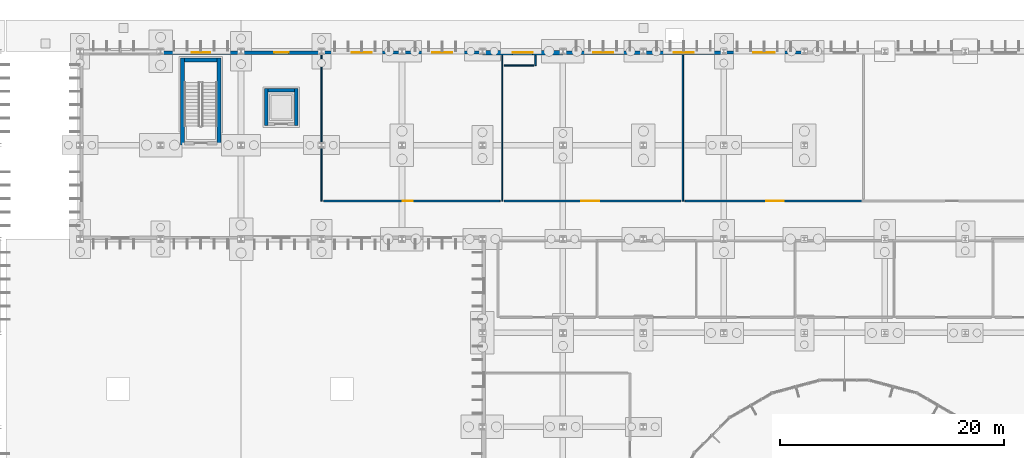
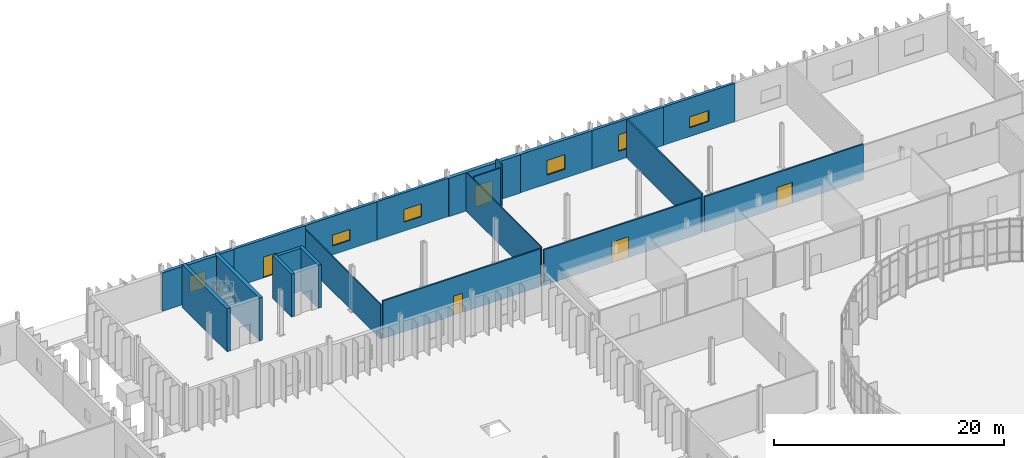
# One storey, part 97 of 118: 22 walls, 6 windows, 5 doors, 11 openings.
"""IFC4 building model written with IfcOpenShell, lengths in metres."""

from ifc_helpers import new_model, si_unit, direction, frame, frame_2d, origin, place, context, subcontext, project, spatial, rectangle, extrude, material, layer, layer_set, type_object, element, fill, save


model = new_model("IFC4")

# Units and contexts
model_context = context("Model", 3, precision=1e-05, world=origin(), true_north=direction((0.0, 1.0)))
body_context = subcontext(model_context, "Body", "Model", "MODEL_VIEW")
ifc_project = project(units=[si_unit("LENGTHUNIT", "METRE"), si_unit("AREAUNIT", "SQUARE_METRE"), si_unit("VOLUMEUNIT", "CUBIC_METRE"), si_unit("PLANEANGLEUNIT", "RADIAN"), si_unit("MASSUNIT", "GRAM", prefix="KILO")], contexts=[model_context])

# Site, building, storey
site_placement = place(None, origin())
site = spatial("IfcSite", under=ifc_project, at=site_placement, CompositionType="ELEMENT")
building_placement = place(site_placement, origin())
building = spatial("IfcBuilding", under=site, at=building_placement, Name="Qelthora Terrace Specialist Clinic", CompositionType="ELEMENT")
storey_placement = place(building_placement, origin())
storey = spatial("IfcBuildingStorey", under=building, at=storey_placement, Name="L00", CompositionType="ELEMENT", Elevation=0.0)

# Walls
ifc_material_1 = material(Name="Concrete C40/50", Category="concrete")
ifc_layer_1 = layer(ifc_material_1, 0.300048828125)
ifc_layer_set_1 = layer_set([ifc_layer_1], Name="Concrete C40/50")
wall_type_1 = type_object("IfcWallType", Name="WAL-CORE-300-C40", PredefinedType="SHEAR", material=ifc_layer_set_1)
for number, where, z_axis, x_axis, name in (
    (1, (74.25, 102.550048828125, 0.0), (0.0, 0.0, 1.0), (0.0, 1.0, 0.0), "Lift PL-04 L00 west shaft wall"),
    (2, (76.949951171875, 102.550048828125, 0.0), (0.0, 0.0, 1.0), (0.0, 1.0, 0.0), "Lift PL-04 L00 east shaft wall"),
):
    element("IfcWall", number, at=place(storey_placement, frame(where, z_axis=z_axis, x_axis=x_axis)), inside=storey, type_object=wall_type_1, Name=name, PredefinedType="SHEAR", context=body_context, shape_type="SweptSolid", body=[
        extrude(rectangle(XDim=3.300048828125, YDim=0.300048828125, at=frame_2d((1.64990234375, 0.0))), origin(), (0.0, 0.0, 1.0), 4.570068359375),
    ])
wall_1_placement = place(storey_placement, frame((74.39990234375, 105.699951171875, 0.0), z_axis=(0.0, 0.0, 1.0), x_axis=(1.0, 0.0, 0.0)))
element("IfcWall", 3, at=wall_1_placement, inside=storey, type_object=wall_type_1, Name="Lift PL-04 L00 north shaft wall", PredefinedType="SHEAR", context=body_context, shape_type="SweptSolid", body=[
    extrude(rectangle(XDim=2.400146484375, YDim=0.300048828125, at=frame_2d((1.2001953125, 0.0))), origin(), (0.0, 0.0, 1.0), 4.570068359375),
])
ifc_layer_2 = layer(ifc_material_1, 0.35009765625)
ifc_layer_set_2 = layer_set([ifc_layer_2], Name="Concrete C40/50")
wall_type_2 = type_object("IfcWallType", Name="WAL-CORE-350-C40", PredefinedType="SHEAR", material=ifc_layer_set_2)
for number, where, z_axis, x_axis, name in (
    (4, (66.77490234375, 100.800048828125, 0.0), (0.0, 0.0, 1.0), (0.0, 1.0, 0.0), "ST-07 L00 west shear core wall"),
    (5, (70.02490234375, 100.800048828125, 0.0), (0.0, 0.0, 1.0), (0.0, 1.0, 0.0), "ST-07 L00 east shear core wall"),
):
    element("IfcWall", number, at=place(storey_placement, frame(where, z_axis=z_axis, x_axis=x_axis)), inside=storey, type_object=wall_type_2, Name=name, PredefinedType="SHEAR", context=body_context, shape_type="SweptSolid", body=[
        extrude(rectangle(XDim=7.800048828125, YDim=0.35009765625, at=frame_2d((3.89990234375, 0.0))), origin(), (0.0, 0.0, 1.0), 4.570068359375),
    ])
wall_2_placement = place(storey_placement, frame((66.949951171875, 108.425048828125, 0.0), z_axis=(0.0, 0.0, 1.0), x_axis=(1.0, 0.0, 0.0)))
element("IfcWall", 6, at=wall_2_placement, inside=storey, type_object=wall_type_2, Name="ST-07 L00 north shear core wall", PredefinedType="SHEAR", context=body_context, shape_type="SweptSolid", body=[
    extrude(rectangle(XDim=2.900146484375, YDim=0.35009765625, at=frame_2d((1.4501953125, 0.0))), origin(), (0.0, 0.0, 1.0), 4.570068359375),
])

# Wall, opening, window
ifc_material_2 = material(Name="Precast concrete C40/50", Category="concrete")
ifc_layer_3 = layer(ifc_material_2, 0.260009765625)
ifc_layer_set_3 = layer_set([ifc_layer_3], Name="Precast concrete C40/50")
wall_type_3 = type_object("IfcWallType", Name="WAL-EXT-260-PC40", PredefinedType="SOLIDWALL", material=ifc_layer_set_3)
wall_3_placement = place(storey_placement, frame((86.39990234375, 109.080078125, 0.0), z_axis=(0.0, 0.0, 1.0), x_axis=(1.0, 0.0, 0.0)))
wall_3 = element("IfcWall", 7, at=wall_3_placement, inside=storey, type_object=wall_type_3, Name="L00 external precast wall 29", PredefinedType="SOLIDWALL", context=body_context, shape_type="SweptSolid", body=[
    extrude(rectangle(XDim=7.2001953125, YDim=0.260009765625, at=frame_2d((3.60009765625, 0.0))), origin(), (0.0, 0.0, 1.0), 4.08203125),
])
opening_1_placement = place(wall_3_placement, frame((2.699951171875, 0.0, 0.949951171875)))
opening_1 = element("IfcOpeningElement", 8, at=opening_1_placement, cuts=wall_3, Name="Opening WN-L00-022", PredefinedType="OPENING", context=body_context, shape_type="SweptSolid", body=[
    extrude(rectangle(XDim=1.800048828125, YDim=1.35009765625, at=frame_2d((0.89990234375, 0.675048828125))), frame((0.0, 0.139892578125, 0.0), z_axis=(0.0, -1.0, 0.0), x_axis=(1.0, 0.0, 0.0)), (0.0, 0.0, 1.0), 0.280029296875),
])
ifc_material_3 = material(Name="Low-E triple-silver insulating glass", Category="glass")
window_type_1 = type_object("IfcWindowType", Name="WIN-1800X1350", PartitioningType="DOUBLE_PANEL_VERTICAL", PredefinedType="WINDOW", material=ifc_material_3)
window_1_placement = place(opening_1_placement, origin())
window_1 = element("IfcWindow", 9, at=window_1_placement, inside=storey, type_object=window_type_1, Name="Clinical window WN-L00-022", OverallHeight=1.35009765625, OverallWidth=1.800048828125, PartitioningType="SINGLE_PANEL", PredefinedType="WINDOW", context=body_context, shape_type="SweptSolid", body=[
    extrude(rectangle(XDim=1.800048828125, YDim=1.35009765625, at=frame_2d((0.89990234375, 0.675048828125))), frame((0.0, 0.030029296875, 0.0), z_axis=(0.0, -1.0, 0.0), x_axis=(1.0, 0.0, 0.0)), (0.0, 0.0, 1.0), 0.06005859375),
])
fill(opening_1, window_1)

ifc_layer_4 = layer(ifc_material_2, 0.280029296875)
ifc_layer_set_4 = layer_set([ifc_layer_4], Name="Precast concrete C40/50")
wall_type_4 = type_object("IfcWallType", Name="WAL-EXT-280-PC40", PredefinedType="SOLIDWALL", material=ifc_layer_set_4)
wall_4_placement = place(storey_placement, frame((79.199951171875, 109.080078125, 0.0), z_axis=(0.0, 0.0, 1.0), x_axis=(1.0, 0.0, 0.0)))
wall_4 = element("IfcWall", 10, at=wall_4_placement, inside=storey, type_object=wall_type_4, Name="L00 external precast wall 28", PredefinedType="SOLIDWALL", context=body_context, shape_type="SweptSolid", body=[
    extrude(rectangle(XDim=7.199951171875, YDim=0.280029296875, at=frame_2d((3.60009765625, 0.0))), origin(), (0.0, 0.0, 1.0), 4.08203125),
])
opening_2_placement = place(wall_4_placement, frame((2.699951171875, 0.0, 0.949951171875)))
opening_2 = element("IfcOpeningElement", 11, at=opening_2_placement, cuts=wall_4, Name="Opening WN-L00-021", PredefinedType="OPENING", context=body_context, shape_type="SweptSolid", body=[
    extrude(rectangle(XDim=1.800048828125, YDim=1.14990234375, at=frame_2d((0.89990234375, 0.574951171875))), frame((0.0, 0.14990234375, 0.0), z_axis=(0.0, -1.0, 0.0), x_axis=(1.0, 0.0, 0.0)), (0.0, 0.0, 1.0), 0.300048828125),
])
window_type_2 = type_object("IfcWindowType", Name="WIN-1800X1150", PartitioningType="DOUBLE_PANEL_VERTICAL", PredefinedType="WINDOW", material=ifc_material_3)
window_2_placement = place(opening_2_placement, origin())
window_2 = element("IfcWindow", 12, at=window_2_placement, inside=storey, type_object=window_type_2, Name="Clinical window WN-L00-021", OverallHeight=1.14990234375, OverallWidth=1.800048828125, PartitioningType="SINGLE_PANEL", PredefinedType="WINDOW", context=body_context, shape_type="SweptSolid", body=[
    extrude(rectangle(XDim=1.800048828125, YDim=1.14990234375, at=frame_2d((0.89990234375, 0.574951171875))), frame((0.0, 0.030029296875, 0.0), z_axis=(0.0, -1.0, 0.0), x_axis=(1.0, 0.0, 0.0)), (0.0, 0.0, 1.0), 0.06005859375),
])
fill(opening_2, window_2)

wall_5_placement = place(storey_placement, frame((115.199951171875, 109.080078125, 0.0), z_axis=(0.0, 0.0, 1.0), x_axis=(1.0, 0.0, 0.0)))
wall_5 = element("IfcWall", 13, at=wall_5_placement, inside=storey, type_object=wall_type_4, Name="L00 external precast wall 33", PredefinedType="SOLIDWALL", context=body_context, shape_type="SweptSolid", body=[
    extrude(rectangle(XDim=7.199951171875, YDim=0.280029296875, at=frame_2d((3.60009765625, 0.0))), origin(), (0.0, 0.0, 1.0), 4.08203125),
])
opening_3_placement = place(wall_5_placement, frame((2.625, 0.0, 0.949951171875)))
opening_3 = element("IfcOpeningElement", 14, at=opening_3_placement, cuts=wall_5, Name="Opening WN-L00-025", PredefinedType="OPENING", context=body_context, shape_type="SweptSolid", body=[
    extrude(rectangle(XDim=1.949951171875, YDim=1.14990234375, at=frame_2d((0.97509765625, 0.574951171875))), frame((0.0, 0.14990234375, 0.0), z_axis=(0.0, -1.0, 0.0), x_axis=(1.0, 0.0, 0.0)), (0.0, 0.0, 1.0), 0.300048828125),
])
window_type_3 = type_object("IfcWindowType", Name="WIN-1950X1150", PartitioningType="DOUBLE_PANEL_VERTICAL", PredefinedType="WINDOW", material=ifc_material_3)
window_3_placement = place(opening_3_placement, origin())
window_3 = element("IfcWindow", 15, at=window_3_placement, inside=storey, type_object=window_type_3, Name="Clinical window WN-L00-025", OverallHeight=1.14990234375, OverallWidth=1.949951171875, PartitioningType="SINGLE_PANEL", PredefinedType="WINDOW", context=body_context, shape_type="SweptSolid", body=[
    extrude(rectangle(XDim=1.949951171875, YDim=1.14990234375, at=frame_2d((0.97509765625, 0.574951171875))), frame((0.0, 0.030029296875, 0.0), z_axis=(0.0, -1.0, 0.0), x_axis=(1.0, 0.0, 0.0)), (0.0, 0.0, 1.0), 0.06005859375),
])
fill(opening_3, window_3)

# Wall, opening, door
ifc_layer_5 = layer(ifc_material_2, 0.300048828125)
ifc_layer_set_5 = layer_set([ifc_layer_5], Name="Precast concrete C40/50")
wall_type_5 = type_object("IfcWallType", Name="WAL-EXT-300-PC40", PredefinedType="SOLIDWALL", material=ifc_layer_set_5)
wall_6_placement = place(storey_placement, frame((72.0, 109.080078125, 0.0), z_axis=(0.0, 0.0, 1.0), x_axis=(1.0, 0.0, 0.0)))
wall_6 = element("IfcWall", 16, at=wall_6_placement, inside=storey, type_object=wall_type_5, Name="L00 external precast wall 27", PredefinedType="SOLIDWALL", context=body_context, shape_type="SweptSolid", body=[
    extrude(rectangle(XDim=7.199951171875, YDim=0.300048828125, at=frame_2d((3.60009765625, 0.0))), origin(), (0.0, 0.0, 1.0), 4.08203125),
])
opening_4_placement = place(wall_6_placement, frame((2.949951171875, 0.0, 0.0)))
opening_4 = element("IfcOpeningElement", 17, at=opening_4_placement, cuts=wall_6, Name="Opening DE-ST07-EXIT", PredefinedType="OPENING", context=body_context, shape_type="SweptSolid", body=[
    extrude(rectangle(XDim=1.300048828125, YDim=2.199951171875, at=frame_2d((0.64990234375, 1.10009765625))), frame((0.0, 0.159912109375, 0.0), z_axis=(0.0, -1.0, 0.0), x_axis=(1.0, 0.0, 0.0)), (0.0, 0.0, 1.0), 0.320068359375),
])
ifc_material_4 = material(Name="Steel S355", Category="steel")
door_type_1 = type_object("IfcDoorType", Name="DOR-EXT-1300X2200", OperationType="NOTDEFINED", PredefinedType="DOOR", material=ifc_material_4)
door_1_placement = place(opening_4_placement, origin())
door_1 = element("IfcDoor", 18, at=door_1_placement, inside=storey, type_object=door_type_1, Name="Exterior entrance/exit door DE-ST07-EXIT", OperationType="SINGLE_SWING_LEFT", OverallHeight=2.199951171875, OverallWidth=1.300048828125, PredefinedType="DOOR", context=body_context, shape_type="SweptSolid", body=[
    extrude(rectangle(XDim=1.300048828125, YDim=2.199951171875, at=frame_2d((0.64990234375, 1.10009765625))), frame((0.0, 0.02490234375, 0.0), z_axis=(0.0, -1.0, 0.0), x_axis=(1.0, 0.0, 0.0)), (0.0, 0.0, 1.0), 0.050048828125),
])
fill(opening_4, door_1)

# Wall, opening, window
wall_7_placement = place(storey_placement, frame((108.0, 109.080078125, 0.0), z_axis=(0.0, 0.0, 1.0), x_axis=(1.0, 0.0, 0.0)))
wall_7 = element("IfcWall", 19, at=wall_7_placement, inside=storey, type_object=wall_type_5, Name="L00 external precast wall 32", PredefinedType="SOLIDWALL", context=body_context, shape_type="SweptSolid", body=[
    extrude(rectangle(XDim=7.199951171875, YDim=0.300048828125, at=frame_2d((3.60009765625, 0.0))), origin(), (0.0, 0.0, 1.0), 4.08203125),
])
opening_5_placement = place(wall_7_placement, frame((2.699951171875, 0.0, 0.949951171875)))
opening_5 = element("IfcOpeningElement", 20, at=opening_5_placement, cuts=wall_7, Name="Opening WN-L00-024", PredefinedType="OPENING", context=body_context, shape_type="SweptSolid", body=[
    extrude(rectangle(XDim=1.800048828125, YDim=1.75, at=frame_2d((0.89990234375, 0.875))), frame((0.0, 0.159912109375, 0.0), z_axis=(0.0, -1.0, 0.0), x_axis=(1.0, 0.0, 0.0)), (0.0, 0.0, 1.0), 0.320068359375),
])
window_type_4 = type_object("IfcWindowType", Name="WIN-1800X1750", PartitioningType="DOUBLE_PANEL_VERTICAL", PredefinedType="WINDOW", material=ifc_material_3)
window_4_placement = place(opening_5_placement, origin())
window_4 = element("IfcWindow", 21, at=window_4_placement, inside=storey, type_object=window_type_4, Name="Clinical window WN-L00-024", OverallHeight=1.75, OverallWidth=1.800048828125, PartitioningType="SINGLE_PANEL", PredefinedType="WINDOW", context=body_context, shape_type="SweptSolid", body=[
    extrude(rectangle(XDim=1.800048828125, YDim=1.75, at=frame_2d((0.89990234375, 0.875))), frame((0.0, 0.030029296875, 0.0), z_axis=(0.0, -1.0, 0.0), x_axis=(1.0, 0.0, 0.0)), (0.0, 0.0, 1.0), 0.06005859375),
])
fill(opening_5, window_4)

ifc_layer_6 = layer(ifc_material_2, 0.320068359375)
ifc_layer_set_6 = layer_set([ifc_layer_6], Name="Precast concrete C40/50")
wall_type_6 = type_object("IfcWallType", Name="WAL-EXT-320-PC40", PredefinedType="SOLIDWALL", material=ifc_layer_set_6)
wall_8_placement = place(storey_placement, frame((64.800048828125, 109.080078125, 0.0), z_axis=(0.0, 0.0, 1.0), x_axis=(1.0, 0.0, 0.0)))
wall_8 = element("IfcWall", 22, at=wall_8_placement, inside=storey, type_object=wall_type_6, Name="L00 external precast wall 26", PredefinedType="SOLIDWALL", context=body_context, shape_type="SweptSolid", body=[
    extrude(rectangle(XDim=7.199951171875, YDim=0.320068359375, at=frame_2d((3.60009765625, 0.0))), origin(), (0.0, 0.0, 1.0), 4.08203125),
])
opening_6_placement = place(wall_8_placement, frame((2.77490234375, 0.0, 0.949951171875)))
opening_6 = element("IfcOpeningElement", 23, at=opening_6_placement, cuts=wall_8, Name="Opening WN-L00-020", PredefinedType="OPENING", context=body_context, shape_type="SweptSolid", body=[
    extrude(rectangle(XDim=1.64990234375, YDim=1.75, at=frame_2d((0.824951171875, 0.875))), frame((0.0, 0.169921875, 0.0), z_axis=(0.0, -1.0, 0.0), x_axis=(1.0, 0.0, 0.0)), (0.0, 0.0, 1.0), 0.340087890625),
])
window_type_5 = type_object("IfcWindowType", Name="WIN-1650X1750", PartitioningType="DOUBLE_PANEL_VERTICAL", PredefinedType="WINDOW", material=ifc_material_3)
window_5_placement = place(opening_6_placement, origin())
window_5 = element("IfcWindow", 24, at=window_5_placement, inside=storey, type_object=window_type_5, Name="Clinical window WN-L00-020", OverallHeight=1.75, OverallWidth=1.64990234375, PartitioningType="SINGLE_PANEL", PredefinedType="WINDOW", context=body_context, shape_type="SweptSolid", body=[
    extrude(rectangle(XDim=1.64990234375, YDim=1.75, at=frame_2d((0.824951171875, 0.875))), frame((0.0, 0.030029296875, 0.0), z_axis=(0.0, -1.0, 0.0), x_axis=(1.0, 0.0, 0.0)), (0.0, 0.0, 1.0), 0.06005859375),
])
fill(opening_6, window_5)

wall_9_placement = place(storey_placement, frame((100.800048828125, 109.080078125, 0.0), z_axis=(0.0, 0.0, 1.0), x_axis=(1.0, 0.0, 0.0)))
wall_9 = element("IfcWall", 25, at=wall_9_placement, inside=storey, type_object=wall_type_6, Name="L00 external precast wall 31", PredefinedType="SOLIDWALL", context=body_context, shape_type="SweptSolid", body=[
    extrude(rectangle(XDim=7.199951171875, YDim=0.320068359375, at=frame_2d((3.60009765625, 0.0))), origin(), (0.0, 0.0, 1.0), 4.08203125),
])
opening_7_placement = place(wall_9_placement, frame((2.699951171875, 0.0, 0.949951171875)))
opening_7 = element("IfcOpeningElement", 26, at=opening_7_placement, cuts=wall_9, Name="Opening WN-L00-023", PredefinedType="OPENING", context=body_context, shape_type="SweptSolid", body=[
    extrude(rectangle(XDim=1.800048828125, YDim=1.550048828125, at=frame_2d((0.89990234375, 0.77490234375))), frame((0.0, 0.169921875, 0.0), z_axis=(0.0, -1.0, 0.0), x_axis=(1.0, 0.0, 0.0)), (0.0, 0.0, 1.0), 0.340087890625),
])
window_type_6 = type_object("IfcWindowType", Name="WIN-1800X1550", PartitioningType="DOUBLE_PANEL_VERTICAL", PredefinedType="WINDOW", material=ifc_material_3)
window_6_placement = place(opening_7_placement, origin())
window_6 = element("IfcWindow", 27, at=window_6_placement, inside=storey, type_object=window_type_6, Name="Clinical window WN-L00-023", OverallHeight=1.550048828125, OverallWidth=1.800048828125, PartitioningType="SINGLE_PANEL", PredefinedType="WINDOW", context=body_context, shape_type="SweptSolid", body=[
    extrude(rectangle(XDim=1.800048828125, YDim=1.550048828125, at=frame_2d((0.89990234375, 0.77490234375))), frame((0.0, 0.030029296875, 0.0), z_axis=(0.0, -1.0, 0.0), x_axis=(1.0, 0.0, 0.0)), (0.0, 0.0, 1.0), 0.06005859375),
])
fill(opening_7, window_6)

# Wall, opening, door
ifc_layer_7 = layer(ifc_material_2, 0.3798828125)
ifc_layer_set_7 = layer_set([ifc_layer_7], Name="Precast concrete C40/50")
wall_type_7 = type_object("IfcWallType", Name="WAL-EXT-380-PC40", PredefinedType="SOLIDWALL", material=ifc_layer_set_7)
wall_10_placement = place(storey_placement, frame((93.60009765625, 109.080078125, 0.0), z_axis=(0.0, 0.0, 1.0), x_axis=(1.0, 0.0, 0.0)))
wall_10 = element("IfcWall", 28, at=wall_10_placement, inside=storey, type_object=wall_type_7, Name="L00 external precast wall 30", PredefinedType="SOLIDWALL", context=body_context, shape_type="SweptSolid", body=[
    extrude(rectangle(XDim=7.199951171875, YDim=0.3798828125, at=frame_2d((3.60009765625, 0.0))), origin(), (0.0, 0.0, 1.0), 4.08203125),
])
opening_8_placement = place(wall_10_placement, frame((2.699951171875, 0.0, 0.0)))
opening_8 = element("IfcOpeningElement", 29, at=opening_8_placement, cuts=wall_10, Name="Opening DE-V6N-01", PredefinedType="OPENING", context=body_context, shape_type="SweptSolid", body=[
    extrude(rectangle(XDim=1.800048828125, YDim=2.199951171875, at=frame_2d((0.89990234375, 1.10009765625))), frame((0.0, 0.199951171875, 0.0), z_axis=(0.0, -1.0, 0.0), x_axis=(1.0, 0.0, 0.0)), (0.0, 0.0, 1.0), 0.39990234375),
])
door_type_2 = type_object("IfcDoorType", Name="DOR-EXT-1800X2200", OperationType="NOTDEFINED", PredefinedType="DOOR", material=ifc_material_4)
door_2_placement = place(opening_8_placement, origin())
door_2 = element("IfcDoor", 30, at=door_2_placement, inside=storey, type_object=door_type_2, Name="Exterior entrance/exit door DE-V6N-01", OperationType="DOUBLE_DOOR_SINGLE_SWING", OverallHeight=2.199951171875, OverallWidth=1.800048828125, PredefinedType="DOOR", context=body_context, shape_type="SweptSolid", body=[
    extrude(rectangle(XDim=1.800048828125, YDim=2.199951171875, at=frame_2d((0.89990234375, 1.10009765625))), frame((0.0, 0.02490234375, 0.0), z_axis=(0.0, -1.0, 0.0), x_axis=(1.0, 0.0, 0.0)), (0.0, 0.0, 1.0), 0.050048828125),
])
fill(opening_8, door_2)

# Wall
ifc_material_5 = material(Name="Gypsum acoustic wallboard", Category="gypsum")
ifc_layer_8 = layer(ifc_material_5, 0.139892578125)
ifc_layer_set_8 = layer_set([ifc_layer_8], Name="Gypsum acoustic wallboard")
wall_type_8 = type_object("IfcWallType", Name="WAL-INT-ACU-140", PredefinedType="PARTITIONING", material=ifc_layer_set_8)
wall_11_placement = place(storey_placement, frame((111.52490234375, 108.860107421875, 0.0), z_axis=(0.0, 0.0, 1.0), x_axis=(0.0, -1.0, 0.0)))
element("IfcWall", 31, at=wall_11_placement, inside=storey, type_object=wall_type_8, Name="Interior clinical partition IWAL-L00-0139", PredefinedType="PARTITIONING", context=body_context, shape_type="SweptSolid", body=[
    extrude(rectangle(XDim=13.06005859375, YDim=0.139892578125, at=frame_2d((6.530029296875, 0.0))), origin(), (0.0, 0.0, 1.0), 4.132080078125),
])

# Wall, opening, door
ifc_material_6 = material(Name="Gypsum fire-rated wallboard", Category="gypsum")
ifc_layer_9 = layer(ifc_material_6, 0.159912109375)
ifc_layer_set_9 = layer_set([ifc_layer_9], Name="Gypsum fire-rated wallboard")
wall_type_9 = type_object("IfcWallType", Name="WAL-INT-COR-160", PredefinedType="PARTITIONING", material=ifc_layer_set_9)
wall_12_placement = place(storey_placement, frame((95.1826171875, 95.800048828125, 0.0), z_axis=(0.0, 0.0, 1.0), x_axis=(-1.0, 0.0, 0.0)))
wall_12 = element("IfcWall", 32, at=wall_12_placement, inside=storey, type_object=wall_type_9, Name="Interior clinical partition IWAL-L00-0137", PredefinedType="PARTITIONING", context=body_context, shape_type="SweptSolid", body=[
    extrude(rectangle(XDim=15.802734375, YDim=0.159912109375, at=frame_2d((7.9013671875, 0.0))), origin(), (0.0, 0.0, 1.0), 4.008056640625),
])
opening_9_placement = place(wall_12_placement, frame((7.811279296875, 0.0, 0.0)))
opening_9 = element("IfcOpeningElement", 33, at=opening_9_placement, cuts=wall_12, Name="Opening DI-L00-0051", PredefinedType="OPENING", context=body_context, shape_type="SweptSolid", body=[
    extrude(rectangle(XDim=0.89990234375, YDim=2.0400390625, at=frame_2d((0.449951171875, 1.02001953125))), frame((0.0, 0.08984375, 0.0), z_axis=(0.0, -1.0, 0.0), x_axis=(1.0, 0.0, 0.0)), (0.0, 0.0, 1.0), 0.179931640625),
])
ifc_material_7 = material(Name="Glulam timber GL28h", Category="wood")
door_type_3 = type_object("IfcDoorType", Name="DOR-ENS-900X2040", OperationType="NOTDEFINED", PredefinedType="DOOR", material=ifc_material_7)
door_3_placement = place(opening_9_placement, frame((0.89990234375, 0.0, 0.0), z_axis=(0.0, 0.0, 1.0), x_axis=(-1.0, 0.0, 0.0)))
door_3 = element("IfcDoor", 34, at=door_3_placement, inside=storey, type_object=door_type_3, Name="Interior clinical door DI-L00-0051", OperationType="SINGLE_SWING_RIGHT", OverallHeight=2.0400390625, OverallWidth=0.89990234375, PredefinedType="DOOR", context=body_context, shape_type="SweptSolid", body=[
    extrude(rectangle(XDim=0.89990234375, YDim=2.0400390625, at=frame_2d((0.449951171875, 1.02001953125))), frame((0.0, 0.02490234375, 0.0), z_axis=(0.0, -1.0, 0.0), x_axis=(1.0, 0.0, 0.0)), (0.0, 0.0, 1.0), 0.050048828125),
])
fill(opening_9, door_3)

wall_13_placement = place(storey_placement, frame((111.344970703125, 95.800048828125, 0.0), z_axis=(0.0, 0.0, 1.0), x_axis=(-1.0, 0.0, 0.0)))
wall_13 = element("IfcWall", 35, at=wall_13_placement, inside=storey, type_object=wall_type_9, Name="Interior clinical partition IWAL-L00-0140", PredefinedType="PARTITIONING", context=body_context, shape_type="SweptSolid", body=[
    extrude(rectangle(XDim=15.802490234375, YDim=0.159912109375, at=frame_2d((7.9013671875, 0.0))), origin(), (0.0, 0.0, 1.0), 3.77490234375),
])
opening_10_placement = place(wall_13_placement, frame((7.2763671875, 0.0, 0.0)))
opening_10 = element("IfcOpeningElement", 36, at=opening_10_placement, cuts=wall_13, Name="Opening DI-L00-0052", PredefinedType="OPENING", context=body_context, shape_type="SweptSolid", body=[
    extrude(rectangle(XDim=1.64990234375, YDim=2.199951171875, at=frame_2d((0.824951171875, 1.10009765625))), frame((0.0, 0.08984375, 0.0), z_axis=(0.0, -1.0, 0.0), x_axis=(1.0, 0.0, 0.0)), (0.0, 0.0, 1.0), 0.179931640625),
])
ifc_material_8 = material(Name="Aluminium anodized bronze", Category="aluminium")
door_type_4 = type_object("IfcDoorType", Name="DOR-GYM-1650X2200", OperationType="NOTDEFINED", PredefinedType="DOOR", material=ifc_material_8)
door_4_placement = place(opening_10_placement, frame((1.64990234375, 0.0, 0.0), z_axis=(0.0, 0.0, 1.0), x_axis=(-1.0, 0.0, 0.0)))
door_4 = element("IfcDoor", 37, at=door_4_placement, inside=storey, type_object=door_type_4, Name="Interior clinical door DI-L00-0052", OperationType="DOUBLE_DOOR_SINGLE_SWING", OverallHeight=2.199951171875, OverallWidth=1.64990234375, PredefinedType="DOOR", context=body_context, shape_type="SweptSolid", body=[
    extrude(rectangle(XDim=1.64990234375, YDim=2.199951171875, at=frame_2d((0.824951171875, 1.10009765625))), frame((0.0, 0.02490234375, 0.0), z_axis=(0.0, -1.0, 0.0), x_axis=(1.0, 0.0, 0.0)), (0.0, 0.0, 1.0), 0.050048828125),
])
fill(opening_10, door_4)

wall_14_placement = place(storey_placement, frame((127.6875, 95.800048828125, 0.0), z_axis=(0.0, 0.0, 1.0), x_axis=(-1.0, 0.0, 0.0)))
wall_14 = element("IfcWall", 38, at=wall_14_placement, inside=storey, type_object=wall_type_9, Name="Interior clinical partition IWAL-L00-0142", PredefinedType="PARTITIONING", context=body_context, shape_type="SweptSolid", body=[
    extrude(rectangle(XDim=15.982421875, YDim=0.159912109375, at=frame_2d((7.9912109375, 0.0))), origin(), (0.0, 0.0, 1.0), 3.77490234375),
])
opening_11_placement = place(wall_14_placement, frame((7.146240234375, 0.0, 0.0)))
opening_11 = element("IfcOpeningElement", 39, at=opening_11_placement, cuts=wall_14, Name="Opening DI-L00-0053", PredefinedType="OPENING", context=body_context, shape_type="SweptSolid", body=[
    extrude(rectangle(XDim=1.550048828125, YDim=2.199951171875, at=frame_2d((0.77490234375, 1.10009765625))), frame((0.0, 0.08984375, 0.0), z_axis=(0.0, -1.0, 0.0), x_axis=(1.0, 0.0, 0.0)), (0.0, 0.0, 1.0), 0.179931640625),
])
door_type_5 = type_object("IfcDoorType", Name="DOR-LIB-1550X2200", OperationType="NOTDEFINED", PredefinedType="DOOR", material=ifc_material_8)
door_5_placement = place(opening_11_placement, frame((1.550048828125, 0.0, 0.0), z_axis=(0.0, 0.0, 1.0), x_axis=(-1.0, 0.0, 0.0)))
door_5 = element("IfcDoor", 40, at=door_5_placement, inside=storey, type_object=door_type_5, Name="Interior clinical door DI-L00-0053", OperationType="DOUBLE_DOOR_SINGLE_SWING", OverallHeight=2.199951171875, OverallWidth=1.550048828125, PredefinedType="DOOR", context=body_context, shape_type="SweptSolid", body=[
    extrude(rectangle(XDim=1.550048828125, YDim=2.199951171875, at=frame_2d((0.77490234375, 1.10009765625))), frame((0.0, 0.02490234375, 0.0), z_axis=(0.0, -1.0, 0.0), x_axis=(1.0, 0.0, 0.0)), (0.0, 0.0, 1.0), 0.050048828125),
])
fill(opening_11, door_5)

# Walls
ifc_layer_10 = layer(ifc_material_3, 0.110107421875)
ifc_layer_set_10 = layer_set([ifc_layer_10], Name="Low-E triple-silver insulating glass")
wall_type_10 = type_object("IfcWallType", Name="WAL-INT-GLA-110", PredefinedType="MOVABLE", material=ifc_layer_set_10)
wall_15_placement = place(storey_placement, frame((79.199951171875, 95.800048828125, 0.0), z_axis=(0.0, 0.0, 1.0), x_axis=(0.0, 1.0, 0.0)))
element("IfcWall", 41, at=wall_15_placement, inside=storey, type_object=wall_type_10, Name="Interior clinical partition IWAL-L00-0135", PredefinedType="MOVABLE", context=body_context, shape_type="SweptSolid", body=[
    extrude(rectangle(XDim=13.06005859375, YDim=0.110107421875, at=frame_2d((6.530029296875, 0.0))), origin(), (0.0, 0.0, 1.0), 3.694091796875),
])
wall_16_placement = place(storey_placement, frame((95.54248046875, 107.919921875, 0.0), z_axis=(0.0, 0.0, 1.0), x_axis=(1.0, 0.0, 0.0)))
element("IfcWall", 42, at=wall_16_placement, inside=storey, type_object=wall_type_10, Name="Interior clinical partition IWAL-L00-0141", PredefinedType="MOVABLE", context=body_context, shape_type="SweptSolid", body=[
    extrude(rectangle(XDim=2.637451171875, YDim=0.110107421875, at=frame_2d((1.31884765625, 0.0))), origin(), (0.0, 0.0, 1.0), 4.197998046875),
])
ifc_layer_11 = layer(ifc_material_5, 0.10009765625)
ifc_layer_set_11 = layer_set([ifc_layer_11], Name="Gypsum acoustic wallboard")
wall_type_11 = type_object("IfcWallType", Name="WAL-INT-LGT-100", PredefinedType="PARTITIONING", material=ifc_layer_set_11)
wall_17_placement = place(storey_placement, frame((95.362548828125, 108.860107421875, 0.0), z_axis=(0.0, 0.0, 1.0), x_axis=(0.0, -1.0, 0.0)))
element("IfcWall", 43, at=wall_17_placement, inside=storey, type_object=wall_type_11, Name="Interior clinical partition IWAL-L00-0136", PredefinedType="PARTITIONING", context=body_context, shape_type="SweptSolid", body=[
    extrude(rectangle(XDim=13.06005859375, YDim=0.10009765625, at=frame_2d((6.530029296875, 0.0))), origin(), (0.0, 0.0, 1.0), 4.132080078125),
])
ifc_material_9 = material(Name="Gypsum moisture-resistant", Category="gypsum")
ifc_layer_12 = layer(ifc_material_9, 0.14990234375)
ifc_layer_set_12 = layer_set([ifc_layer_12], Name="Gypsum moisture-resistant")
wall_type_12 = type_object("IfcWallType", Name="WAL-INT-WET-150", PredefinedType="PLUMBINGWALL", material=ifc_layer_set_12)
wall_18_placement = place(storey_placement, frame((98.360107421875, 107.919921875, 0.0), z_axis=(0.0, 0.0, 1.0), x_axis=(0.0, 1.0, 0.0)))
element("IfcWall", 44, at=wall_18_placement, inside=storey, type_object=wall_type_12, Name="Interior clinical partition IWAL-L00-0138", PredefinedType="PLUMBINGWALL", context=body_context, shape_type="SweptSolid", body=[
    extrude(rectangle(XDim=0.940185546875, YDim=0.14990234375, at=frame_2d((0.47021484375, 0.0))), origin(), (0.0, 0.0, 1.0), 4.544921875),
])

save(model, "model.ifc")
